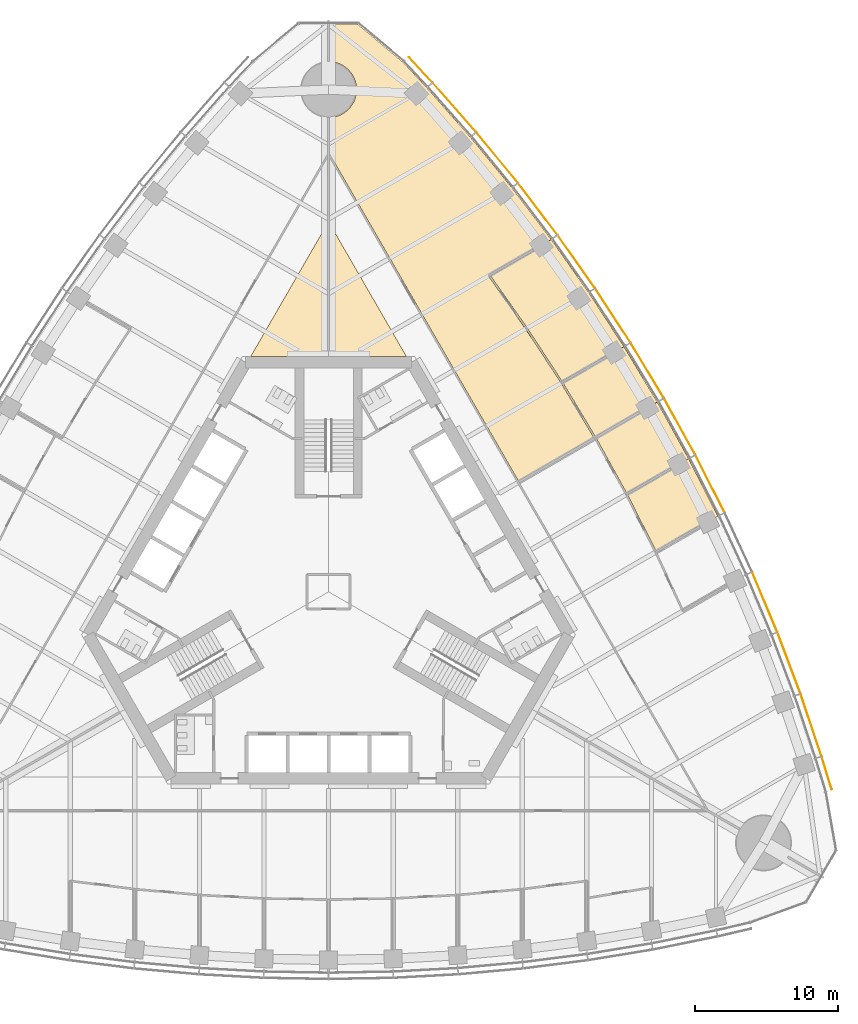
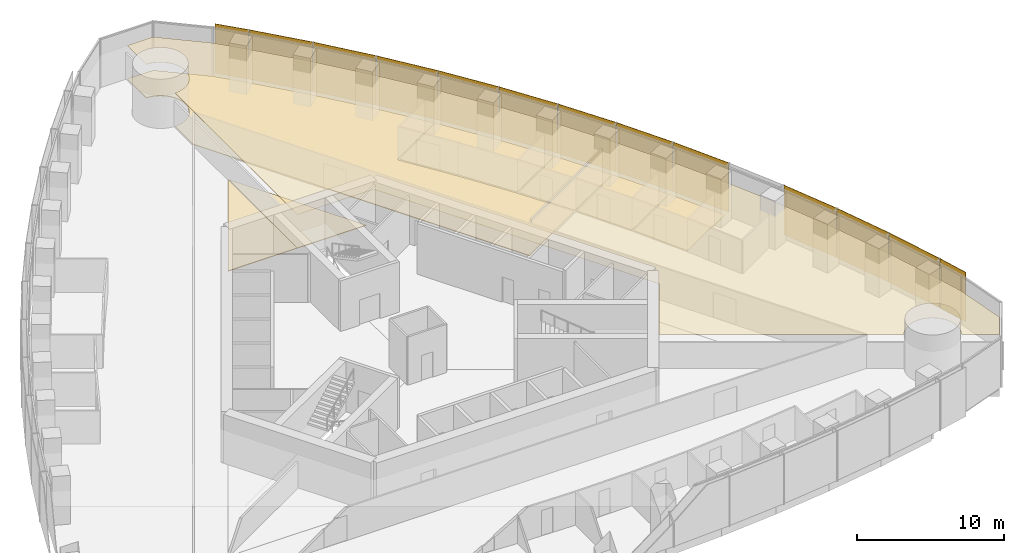
# One storey, part 19 of 21: 13 shading devices, 8 coverings.
"""IFC4 building model written with IfcOpenShell, lengths in metres."""

from ifc_helpers import new_model, si_unit, direction, frame, origin, origin_2d, place, context, subcontext, project, spatial, polyline, rectangle, outline, extrude, material, layer, layer_set, type_object, element, save


model = new_model("IFC4")

# Units and contexts
model_context = context("Model", 3, precision=1e-05, world=origin(), true_north=direction((0.0, 1.0)))
body_context = subcontext(model_context, "Body", "Model", "MODEL_VIEW")
ifc_project = project(units=[si_unit("LENGTHUNIT", "METRE"), si_unit("AREAUNIT", "SQUARE_METRE"), si_unit("VOLUMEUNIT", "CUBIC_METRE"), si_unit("PLANEANGLEUNIT", "RADIAN"), si_unit("MASSUNIT", "GRAM", prefix="KILO")], contexts=[model_context])

# Site, building, storey
site_placement = place(None, origin())
site = spatial("IfcSite", under=ifc_project, at=site_placement, CompositionType="ELEMENT")
building_placement = place(site_placement, origin())
building = spatial("IfcBuilding", under=site, at=building_placement, Name="Trefoil Bronze Tower", CompositionType="ELEMENT")
storey_placement = place(building_placement, frame((0.0, 0.0, 145.10009765625)))
storey = spatial("IfcBuildingStorey", under=building, at=storey_placement, Name="L33", CompositionType="ELEMENT", Elevation=145.10009765625)

# Shading devices
ifc_material_1 = material(Name="Perforated bronze sheet", Category="bronze")
ifc_layer_1 = layer(ifc_material_1, 0.0400390625)
ifc_layer_set_1 = layer_set([ifc_layer_1], Name="Bronze solar screen panel")
shading_device_type = type_object("IfcShadingDeviceType", Name="Bronze solar screen panel", PredefinedType="SHUTTER", material=ifc_layer_set_1)
shading_device_1_placement = place(storey_placement, frame((34.717529296875, -12.634765625, 0.0498046875), z_axis=(0.0, 0.0, 1.0), x_axis=(-0.291668676391, 0.956519410787, 0.0)))
element("IfcShadingDevice", 1, at=shading_device_1_placement, inside=storey, type_object=shading_device_type, Name="Solar screen CW-A L33 F2 bay 1", PredefinedType="SHUTTER", context=body_context, shape_type="SweptSolid", body=[
    extrude(rectangle(XDim=2.39013671875, YDim=0.0400390625, at=origin_2d()), origin(), (0.0, 0.0, 1.0), 4.10009765625),
])
shading_device_2_placement = place(storey_placement, frame((33.62890625, -9.286865234375, 0.0498046875), z_axis=(0.0, 0.0, 1.0), x_axis=(-0.318403749569, 0.947955195281, 0.0)))
element("IfcShadingDevice", 2, at=shading_device_2_placement, inside=storey, type_object=shading_device_type, Name="Solar screen CW-A L33 F2 bay 2", PredefinedType="SHUTTER", context=body_context, shape_type="SweptSolid", body=[
    extrude(rectangle(XDim=4.56103515625, YDim=0.0400390625, at=origin_2d()), origin(), (0.0, 0.0, 1.0), 4.10009765625),
])
shading_device_3_placement = place(storey_placement, frame((32.086669921875, -4.95849609375, 0.0498046875), z_axis=(0.0, 0.0, 1.0), x_axis=(-0.352919739707, 0.935653599002, 0.0)))
element("IfcShadingDevice", 3, at=shading_device_3_placement, inside=storey, type_object=shading_device_type, Name="Solar screen CW-A L33 F2 bay 3", PredefinedType="SHUTTER", context=body_context, shape_type="SweptSolid", body=[
    extrude(rectangle(XDim=4.5302734375, YDim=0.0400390625, at=origin_2d()), origin(), (0.0, 0.0, 1.0), 4.10009765625),
])
shading_device_4_placement = place(storey_placement, frame((30.3974609375, -0.715087890625, 0.0498046875), z_axis=(0.0, 0.0, 1.0), x_axis=(-0.386759234303, 0.922180727776, 0.0)))
element("IfcShadingDevice", 4, at=shading_device_4_placement, inside=storey, type_object=shading_device_type, Name="Solar screen CW-A L33 F2 bay 4", PredefinedType="SHUTTER", context=body_context, shape_type="SweptSolid", body=[
    extrude(rectangle(XDim=4.50634765625, YDim=0.0400390625, at=origin_2d()), origin(), (0.0, 0.0, 1.0), 4.10009765625),
])
shading_device_5_placement = place(storey_placement, frame((26.5869140625, 7.52197265625, 0.0498046875), z_axis=(0.0, 0.0, 1.0), x_axis=(-0.452448919686, 0.891790320128, 0.0)))
element("IfcShadingDevice", 5, at=shading_device_5_placement, inside=storey, type_object=shading_device_type, Name="Solar screen CW-A L33 F2 bay 6", PredefinedType="SHUTTER", context=body_context, shape_type="SweptSolid", body=[
    extrude(rectangle(XDim=4.4765625, YDim=0.0400390625, at=origin_2d()), origin(), (0.0, 0.0, 1.0), 4.10009765625),
])
for number, where, z_axis, x_axis, name in (
    (6, (24.468505859375, 11.517578125, 0.0498046875), (0.0, 0.0, 1.0), (-0.484312195836, 0.874895249138, 0.0), "Solar screen CW-A L33 F2 bay 7"),
    (7, (22.208740234375, 15.431396484375, 0.0498046875), (0.0, 0.0, 1.0), (-0.515525413486, 0.856874289526, 0.0), "Solar screen CW-A L33 F2 bay 8"),
):
    element("IfcShadingDevice", number, at=place(storey_placement, frame(where, z_axis=z_axis, x_axis=x_axis)), inside=storey, type_object=shading_device_type, Name=name, PredefinedType="SHUTTER", context=body_context, shape_type="SweptSolid", body=[
        extrude(rectangle(XDim=4.470703125, YDim=0.0400390625, at=origin_2d()), origin(), (0.0, 0.0, 1.0), 4.10009765625),
    ])
shading_device_6_placement = place(storey_placement, frame((19.8076171875, 19.263916015625, 0.0498046875), z_axis=(0.0, 0.0, 1.0), x_axis=(-0.546088612237, 0.837727418427, 0.0)))
element("IfcShadingDevice", 8, at=shading_device_6_placement, inside=storey, type_object=shading_device_type, Name="Solar screen CW-A L33 F2 bay 9", PredefinedType="SHUTTER", context=body_context, shape_type="SweptSolid", body=[
    extrude(rectangle(XDim=4.4765625, YDim=0.0400390625, at=origin_2d()), origin(), (0.0, 0.0, 1.0), 4.10009765625),
])
shading_device_7_placement = place(storey_placement, frame((17.264892578125, 23.014404296875, 0.0498046875), z_axis=(0.0, 0.0, 1.0), x_axis=(-0.575999283275, 0.817450197667, 0.0)))
element("IfcShadingDevice", 9, at=shading_device_7_placement, inside=storey, type_object=shading_device_type, Name="Solar screen CW-A L33 F2 bay 10", PredefinedType="SHUTTER", context=body_context, shape_type="SweptSolid", body=[
    extrude(rectangle(XDim=4.48828125, YDim=0.0400390625, at=origin_2d()), origin(), (0.0, 0.0, 1.0), 4.10009765625),
])
shading_device_8_placement = place(storey_placement, frame((14.579345703125, 26.6826171875, 0.0498046875), z_axis=(0.0, 0.0, 1.0), x_axis=(-0.605252319983, 0.796033685943, 0.0)))
element("IfcShadingDevice", 10, at=shading_device_8_placement, inside=storey, type_object=shading_device_type, Name="Solar screen CW-A L33 F2 bay 11", PredefinedType="SHUTTER", context=body_context, shape_type="SweptSolid", body=[
    extrude(rectangle(XDim=4.50634765625, YDim=0.0400390625, at=origin_2d()), origin(), (0.0, 0.0, 1.0), 4.10009765625),
])
shading_device_9_placement = place(storey_placement, frame((11.7490234375, 30.26708984375, 0.0498046875), z_axis=(0.0, 0.0, 1.0), x_axis=(-0.633839916024, 0.773464259584, 0.0)))
element("IfcShadingDevice", 11, at=shading_device_9_placement, inside=storey, type_object=shading_device_type, Name="Solar screen CW-A L33 F2 bay 12", PredefinedType="SHUTTER", context=body_context, shape_type="SweptSolid", body=[
    extrude(rectangle(XDim=4.5302734375, YDim=0.0400390625, at=origin_2d()), origin(), (0.0, 0.0, 1.0), 4.10009765625),
])
shading_device_10_placement = place(storey_placement, frame((8.77197265625, 33.766845703125, 0.0498046875), z_axis=(0.0, 0.0, 1.0), x_axis=(-0.661751405978, 0.749723333428, 0.0)))
element("IfcShadingDevice", 12, at=shading_device_10_placement, inside=storey, type_object=shading_device_type, Name="Solar screen CW-A L33 F2 bay 13", PredefinedType="SHUTTER", context=body_context, shape_type="SweptSolid", body=[
    extrude(rectangle(XDim=4.56103515625, YDim=0.0400390625, at=origin_2d()), origin(), (0.0, 0.0, 1.0), 4.10009765625),
])
shading_device_11_placement = place(storey_placement, frame((6.416748046875, 36.383544921875, 0.0498046875), z_axis=(0.0, 0.0, 1.0), x_axis=(-0.682535770759, 0.730852188636, 0.0)))
element("IfcShadingDevice", 13, at=shading_device_11_placement, inside=storey, type_object=shading_device_type, Name="Solar screen CW-A L33 F2 bay 14", PredefinedType="SHUTTER", context=body_context, shape_type="SweptSolid", body=[
    extrude(rectangle(XDim=2.39013671875, YDim=0.0400390625, at=origin_2d()), origin(), (0.0, 0.0, 1.0), 4.10009765625),
])

# Coverings
ifc_material_2 = material(Name="Acoustic ceiling panels", Category="mineral fibre")
ifc_layer_2 = layer(ifc_material_2, 0.02001953125)
ifc_layer_set_2 = layer_set([ifc_layer_2], Name="Office ceiling 20")
covering_type_1 = type_object("IfcCoveringType", Name="Office ceiling 20", PredefinedType="CEILING", material=ifc_layer_set_2)
covering_1_placement = place(storey_placement, frame((0.0, 0.0, 2.89990234375)))
element("IfcCovering", 14, at=covering_1_placement, inside=storey, type_object=covering_type_1, Name="Ceiling L33 Open-plan office F2", PredefinedType="CEILING", context=body_context, shape_type="SweptSolid", body=[
    extrude(outline(polyline([(6.847900390625, 35.130615234375), (9.885986328125, 31.6884765625), (12.776611328125, 28.1611328125), (15.522216796875, 24.55029296875), (18.124755859375, 20.856689453125), (20.585693359375, 17.081298828125), (22.906005859375, 13.224853515625), (25.085693359375, 9.287109375), (27.124755859375, 5.268310546875), (29.022216796875, 1.16748046875), (30.776611328125, -3.015625), (32.385986328125, -7.28271484375), (33.847900390625, -11.634765625), (34.5537109375, -13.94970703125), (35.2666015625, -17.99169921875), (34.247802734375, -19.755859375), (32.006103515625, -18.462646484375), (32.030517578125, -18.419189453125), (32.07373046875, -18.333740234375), (32.112548828125, -18.24609375), (32.14697265625, -18.156982421875), (32.177001953125, -18.066162109375), (32.202392578125, -17.973876953125), (32.223388671875, -17.88037109375), (32.23974609375, -17.7861328125), (32.25146484375, -17.691162109375), (32.258544921875, -17.595703125), (32.260986328125, -17.5), (32.258544921875, -17.404296875), (32.25146484375, -17.308837890625), (32.23974609375, -17.2138671875), (32.223388671875, -17.11962890625), (32.202392578125, -17.026123046875), (32.177001953125, -16.933837890625), (32.14697265625, -16.843017578125), (32.112548828125, -16.75390625), (32.07373046875, -16.666259765625), (32.030517578125, -16.580810546875), (31.9833984375, -16.49755859375), (31.932373046875, -16.41650390625), (31.877197265625, -16.33837890625), (31.818359375, -16.262939453125), (31.755615234375, -16.1904296875), (31.689697265625, -16.12109375), (31.620361328125, -16.05517578125), (31.548095703125, -15.99267578125), (31.472412109375, -15.93359375), (31.394287109375, -15.878662109375), (31.3134765625, -15.827392578125), (31.22998046875, -15.7802734375), (31.14453125, -15.7373046875), (31.05712890625, -15.698486328125), (30.9677734375, -15.6640625), (30.876953125, -15.634033203125), (30.78466796875, -15.6083984375), (30.69140625, -15.58740234375), (30.596923828125, -15.571044921875), (30.501953125, -15.559326171875), (30.406494140625, -15.55224609375), (30.310791015625, -15.550048828125), (30.215087890625, -15.55224609375), (30.119873046875, -15.559326171875), (30.02490234375, -15.571044921875), (29.930419921875, -15.58740234375), (29.837158203125, -15.6083984375), (29.744873046875, -15.634033203125), (29.654052734375, -15.6640625), (29.564697265625, -15.698486328125), (29.477294921875, -15.7373046875), (29.3916015625, -15.7802734375), (29.308349609375, -15.827392578125), (29.2275390625, -15.878662109375), (29.1494140625, -15.93359375), (29.07373046875, -15.99267578125), (29.001220703125, -16.05517578125), (28.931884765625, -16.12109375), (28.865966796875, -16.1904296875), (28.803466796875, -16.262939453125), (28.74462890625, -16.33837890625), (28.689453125, -16.41650390625), (28.628662109375, -16.514404296875), (14.205810546875, -8.194580078125), (17.205078125, -3.0), (6.00439453125, 16.39990234375), (0.006103515625, 16.39990234375), (0.012451171875, 33.05029296875), (0.095703125, 33.05224609375), (0.191162109375, 33.059326171875), (0.2861328125, 33.071044921875), (0.38037109375, 33.08740234375), (0.473876953125, 33.1083984375), (0.566162109375, 33.134033203125), (0.656982421875, 33.1640625), (0.74609375, 33.198486328125), (0.833740234375, 33.2373046875), (0.919189453125, 33.2802734375), (1.00244140625, 33.327392578125), (1.08349609375, 33.378662109375), (1.16162109375, 33.43359375), (1.237060546875, 33.49267578125), (1.3095703125, 33.55517578125), (1.37890625, 33.62109375), (1.44482421875, 33.6904296875), (1.50732421875, 33.762939453125), (1.56640625, 33.83837890625), (1.621337890625, 33.91650390625), (1.672607421875, 33.99755859375), (1.7197265625, 34.080810546875), (1.7626953125, 34.166259765625), (1.801513671875, 34.25390625), (1.8359375, 34.343017578125), (1.865966796875, 34.433837890625), (1.8916015625, 34.526123046875), (1.91259765625, 34.61962890625), (1.928955078125, 34.7138671875), (1.940673828125, 34.808837890625), (1.94775390625, 34.904296875), (1.949951171875, 35.0), (1.94775390625, 35.095703125), (1.940673828125, 35.191162109375), (1.928955078125, 35.2861328125), (1.91259765625, 35.38037109375), (1.8916015625, 35.473876953125), (1.865966796875, 35.566162109375), (1.8359375, 35.656982421875), (1.801513671875, 35.74609375), (1.7626953125, 35.833740234375), (1.7197265625, 35.919189453125), (1.672607421875, 36.00244140625), (1.621337890625, 36.08349609375), (1.56640625, 36.16162109375), (1.50732421875, 36.237060546875), (1.44482421875, 36.3095703125), (1.37890625, 36.37890625), (1.3095703125, 36.44482421875), (1.237060546875, 36.50732421875), (1.16162109375, 36.56640625), (1.08349609375, 36.621337890625), (1.00244140625, 36.672607421875), (0.919189453125, 36.7197265625), (0.833740234375, 36.7626953125), (0.74609375, 36.801513671875), (0.656982421875, 36.8359375), (0.566162109375, 36.865966796875), (0.473876953125, 36.8916015625), (0.38037109375, 36.91259765625), (0.2861328125, 36.928955078125), (0.191162109375, 36.940673828125), (0.095703125, 36.94775390625), (0.013916015625, 36.94970703125), (0.014892578125, 39.53759765625), (2.052001953125, 39.53759765625), (5.1962890625, 36.8994140625), (6.847900390625, 35.130615234375)])), origin(), (0.0, 0.0, 1.0), 0.02001953125),
])
ifc_material_3 = material(Name="Raised access floor panels", Category="steel")
ifc_layer_3 = layer(ifc_material_3, 0.050048828125)
ifc_layer_set_3 = layer_set([ifc_layer_3], Name="Raised access floor 150")
covering_type_2 = type_object("IfcCoveringType", Name="Raised access floor 150", PredefinedType="FLOORING", material=ifc_layer_set_3)
covering_2_placement = place(storey_placement, frame((0.0, 0.0, 0.099853515625)))
element("IfcCovering", 15, at=covering_2_placement, inside=storey, type_object=covering_type_2, Name="Raised floor L33 Kitchen and breakout F2", PredefinedType="FLOORING", context=body_context, shape_type="SweptSolid", body=[
    extrude(outline(polyline([(20.585693359375, 17.081298828125), (19.324951171875, 16.353515625), (19.294921875, 16.405517578125), (16.27490234375, 14.661865234375), (13.844970703125, 18.389404296875), (13.794677734375, 18.356689453125), (13.84375, 18.391357421875), (11.279052734375, 22.031005859375), (14.284912109375, 23.7666015625), (14.2548828125, 23.818603515625), (15.522216796875, 24.55029296875), (18.124755859375, 20.856689453125), (20.585693359375, 17.081298828125)])), origin(), (0.0, 0.0, 1.0), 0.050048828125),
])
covering_3_placement = place(storey_placement, frame((0.0, 0.0, 0.099853515625)))
element("IfcCovering", 16, at=covering_3_placement, inside=storey, type_object=covering_type_2, Name="Raised floor L33 Meeting room F2", PredefinedType="FLOORING", context=body_context, shape_type="SweptSolid", body=[
    extrude(outline(polyline([(20.585693359375, 17.081298828125), (22.906005859375, 13.224853515625), (21.64599609375, 12.497314453125), (21.6083984375, 12.562255859375), (18.58935546875, 10.819091796875), (16.338623046875, 14.56005859375), (19.35498046875, 16.301513671875), (19.324951171875, 16.353515625), (20.585693359375, 17.081298828125)])), origin(), (0.0, 0.0, 1.0), 0.050048828125),
])
covering_4_placement = place(storey_placement, frame((0.0, 0.0, 0.099853515625)))
element("IfcCovering", 17, at=covering_4_placement, inside=storey, type_object=covering_type_2, Name="Raised floor L33 Meeting room F2", PredefinedType="FLOORING", context=body_context, shape_type="SweptSolid", body=[
    extrude(outline(polyline([(22.906005859375, 13.224853515625), (25.085693359375, 9.287109375), (23.824951171875, 8.55908203125), (23.794921875, 8.611083984375), (20.778564453125, 6.86962890625), (18.664306640625, 10.689208984375), (21.68359375, 12.432373046875), (21.64599609375, 12.497314453125), (22.906005859375, 13.224853515625)])), origin(), (0.0, 0.0, 1.0), 0.050048828125),
])
covering_5_placement = place(storey_placement, frame((0.0, 0.0, 0.099853515625)))
element("IfcCovering", 18, at=covering_5_placement, inside=storey, type_object=covering_type_2, Name="Raised floor L33 Meeting room F2", PredefinedType="FLOORING", context=body_context, shape_type="SweptSolid", body=[
    extrude(outline(polyline([(25.085693359375, 9.287109375), (27.124755859375, 5.268310546875), (25.861572265625, 4.538818359375), (25.83154296875, 4.5908203125), (22.819580078125, 2.851806640625), (20.8349609375, 6.763671875), (23.85498046875, 8.507080078125), (23.824951171875, 8.55908203125), (25.085693359375, 9.287109375)])), origin(), (0.0, 0.0, 1.0), 0.050048828125),
])
covering_6_placement = place(storey_placement, frame((0.0, 0.0, 0.099853515625)))
element("IfcCovering", 19, at=covering_6_placement, inside=storey, type_object=covering_type_2, Name="Raised floor L33 Open-plan office F2", PredefinedType="FLOORING", context=body_context, shape_type="SweptSolid", body=[
    extrude(outline(polyline([(5.1962890625, 36.8994140625), (6.847900390625, 35.130615234375), (9.885986328125, 31.6884765625), (12.776611328125, 28.1611328125), (15.522216796875, 24.55029296875), (14.2548828125, 23.818603515625), (14.224853515625, 23.870361328125), (11.162109375, 22.102294921875), (11.192138671875, 22.05029296875), (11.14306640625, 22.015625), (13.05810546875, 19.298095703125), (14.394775390625, 17.326416015625), (16.204833984375, 14.549560546875), (18.4853515625, 10.759033203125), (13.22998046875, 7.72509765625), (0.068359375, 30.521484375), (0.011474609375, 30.488525390625), (0.012451171875, 33.05029296875), (0.095703125, 33.05224609375), (0.191162109375, 33.059326171875), (0.2861328125, 33.071044921875), (0.38037109375, 33.08740234375), (0.473876953125, 33.1083984375), (0.566162109375, 33.134033203125), (0.656982421875, 33.1640625), (0.74609375, 33.198486328125), (0.833740234375, 33.2373046875), (0.919189453125, 33.2802734375), (1.00244140625, 33.327392578125), (1.08349609375, 33.378662109375), (1.16162109375, 33.43359375), (1.237060546875, 33.49267578125), (1.3095703125, 33.55517578125), (1.37890625, 33.62109375), (1.44482421875, 33.6904296875), (1.50732421875, 33.762939453125), (1.56640625, 33.83837890625), (1.621337890625, 33.91650390625), (1.672607421875, 33.99755859375), (1.7197265625, 34.080810546875), (1.7626953125, 34.166259765625), (1.801513671875, 34.25390625), (1.8359375, 34.343017578125), (1.865966796875, 34.433837890625), (1.8916015625, 34.526123046875), (1.91259765625, 34.61962890625), (1.928955078125, 34.7138671875), (1.940673828125, 34.808837890625), (1.94775390625, 34.904296875), (1.949951171875, 35.0), (1.94775390625, 35.095703125), (1.940673828125, 35.191162109375), (1.928955078125, 35.2861328125), (1.91259765625, 35.38037109375), (1.8916015625, 35.473876953125), (1.865966796875, 35.566162109375), (1.8359375, 35.656982421875), (1.801513671875, 35.74609375), (1.7626953125, 35.833740234375), (1.7197265625, 35.919189453125), (1.672607421875, 36.00244140625), (1.621337890625, 36.08349609375), (1.56640625, 36.16162109375), (1.50732421875, 36.237060546875), (1.44482421875, 36.3095703125), (1.37890625, 36.37890625), (1.3095703125, 36.44482421875), (1.237060546875, 36.50732421875), (1.16162109375, 36.56640625), (1.08349609375, 36.621337890625), (1.00244140625, 36.672607421875), (0.919189453125, 36.7197265625), (0.833740234375, 36.7626953125), (0.74609375, 36.801513671875), (0.656982421875, 36.8359375), (0.566162109375, 36.865966796875), (0.473876953125, 36.8916015625), (0.38037109375, 36.91259765625), (0.2861328125, 36.928955078125), (0.191162109375, 36.940673828125), (0.095703125, 36.94775390625), (0.013916015625, 36.94970703125), (0.014892578125, 39.53759765625), (2.052001953125, 39.53759765625), (5.1962890625, 36.8994140625)])), origin(), (0.0, 0.0, 1.0), 0.050048828125),
])
covering_7_placement = place(storey_placement, frame((0.0, 0.0, 0.099853515625)))
element("IfcCovering", 20, at=covering_7_placement, inside=storey, type_object=covering_type_2, Name="Raised floor L33 Open-plan office F2", PredefinedType="FLOORING", context=body_context, shape_type="SweptSolid", body=[
    extrude(outline(polyline([(0.006103515625, 16.39990234375), (0.009765625, 25.783203125), (5.427001953125, 16.39990234375), (0.006103515625, 16.39990234375)])), origin(), (0.0, 0.0, 1.0), 0.050048828125),
])
covering_8_placement = place(storey_placement, frame((0.0, 0.0, 0.099853515625)))
element("IfcCovering", 21, at=covering_8_placement, inside=storey, type_object=covering_type_2, Name="Raised floor L33 Open-plan office F3", PredefinedType="FLOORING", context=body_context, shape_type="SweptSolid", body=[
    extrude(outline(polyline([(-0.009765625, 25.783203125), (-0.006103515625, 16.39990234375), (-5.427001953125, 16.39990234375), (-0.009765625, 25.783203125)])), origin(), (0.0, 0.0, 1.0), 0.050048828125),
])

save(model, "model.ifc")
